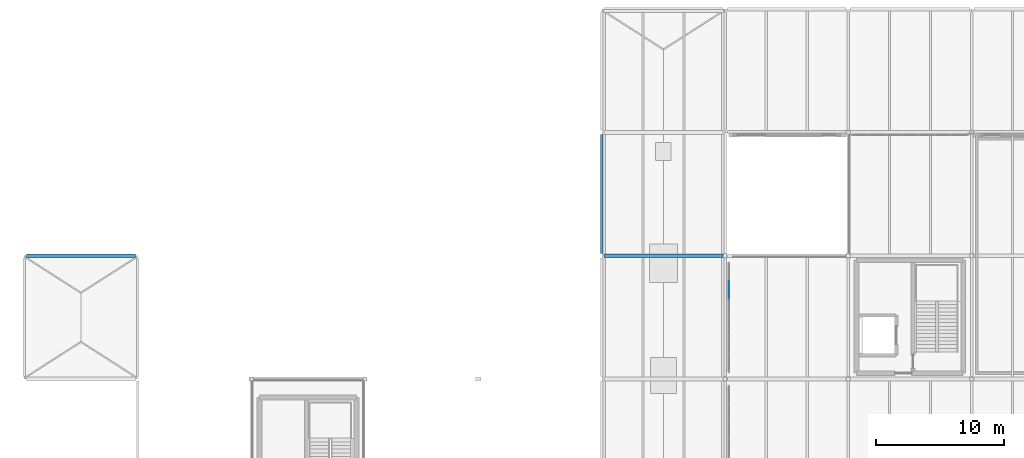
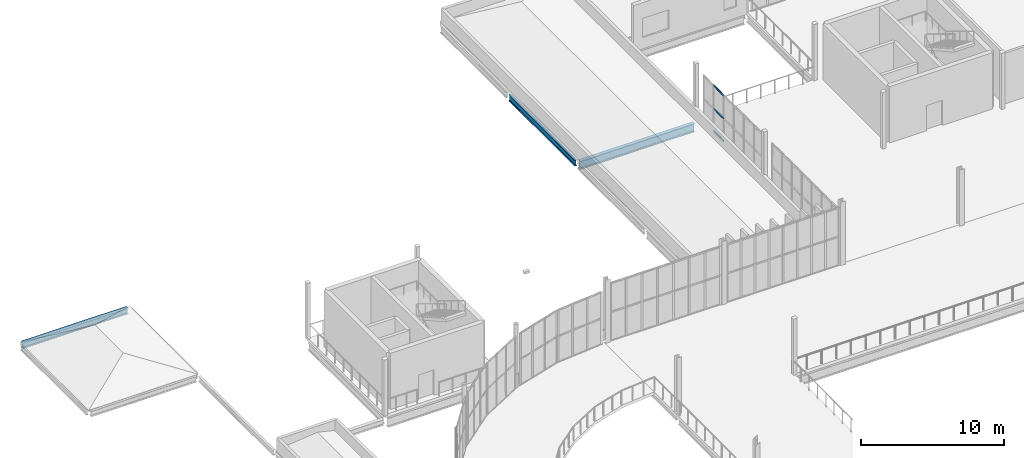
# One storey, part 44 of 112: 3 beams, 3 members, 1 element without a shape of its own.
"""IFC4 building model written with IfcOpenShell, lengths in metres."""

from ifc_helpers import new_model, si_unit, direction, frame, origin, origin_2d, place, context, subcontext, project, spatial, rectangle, i_section, extrude, material, layer, layer_set, material_profile, profile_set, type_object, element, aggregate, save


model = new_model("IFC4")

# Units and contexts
model_context = context("Model", 3, precision=1e-05, world=origin(), true_north=direction((0.0, 1.0)))
body_context = subcontext(model_context, "Body", "Model", "MODEL_VIEW")
ifc_project = project(units=[si_unit("LENGTHUNIT", "METRE"), si_unit("AREAUNIT", "SQUARE_METRE"), si_unit("VOLUMEUNIT", "CUBIC_METRE"), si_unit("PLANEANGLEUNIT", "RADIAN"), si_unit("MASSUNIT", "GRAM", prefix="KILO")], contexts=[model_context])

# Site, building, storey
site_placement = place(None, origin())
site = spatial("IfcSite", under=ifc_project, at=site_placement, CompositionType="ELEMENT")
building_placement = place(site_placement, origin())
building = spatial("IfcBuilding", under=site, at=building_placement, Name="Yeouljin Market Hall", CompositionType="ELEMENT")
storey_placement = place(building_placement, frame((0.0, 0.0, 6.0)))
storey = spatial("IfcBuildingStorey", under=building, at=storey_placement, Name="L01", CompositionType="ELEMENT", Elevation=6.0)

# Beam
ifc_material_1 = material(Name="Steel SM355", Category="steel")
ifc_material_profile_1 = material_profile(ifc_material_1, i_section(OverallWidth=0.199951171875, OverallDepth=0.5, WebThickness=0.010009765625, FlangeThickness=0.01611328125, FilletRadius=0.02001953125, at=origin_2d()), Name="H-500x200x10x16")
ifc_profile_set_1 = profile_set([ifc_material_profile_1], Name="Steel SM355")
beam_type_1 = type_object("IfcBeamType", Name="Beam_H-500x200x10x16", PredefinedType="BEAM", material=ifc_profile_set_1)
beam_1_placement = place(storey_placement, frame((45.0, 98.574951171875, -0.530029296875), z_axis=(0.0, 1.0, 0.0), x_axis=(-1.0, 0.0, 0.0)))
element("IfcBeam", 1, at=beam_1_placement, inside=storey, type_object=beam_type_1, Name="Primary beam BM-L01-Y160", PredefinedType="BEAM", context=body_context, shape_type="SweptSolid", body=[
    extrude(i_section(OverallWidth=0.199951171875, OverallDepth=0.5, WebThickness=0.010009765625, FlangeThickness=0.01611328125, FilletRadius=0.02001953125, at=origin_2d()), origin(), (0.0, 0.0, 1.0), 9.25),
])

# Curtain wall, members
ifc_material_2 = material(Name="Thermally Broken Aluminium", Category="aluminium")
ifc_layer = layer(ifc_material_2, 0.14990234375)
ifc_layer_set = layer_set([ifc_layer], Name="Thermally Broken Aluminium")
curtain_wall_type = type_object("IfcCurtainWallType", Name="CW_WingStorefront_System", PredefinedType="USERDEFINED", material=ifc_layer_set)
curtain_wall_placement = place(storey_placement, origin())
curtain_wall = element("IfcCurtainWall", 2, at=curtain_wall_placement, inside=storey, type_object=curtain_wall_type, Name="Curtain wall CW-CRT-L01-22", ObjectType="CURTAIN WALL", PredefinedType="USERDEFINED")
ifc_material_3 = material(Name="Thermally Broken Aluminium", Category="aluminium")
ifc_material_profile_2 = material_profile(ifc_material_3, rectangle(XDim=0.048095703125, YDim=0.1201171875, at=origin_2d()), Name="CW-TRAN-48x120")
ifc_profile_set_2 = profile_set([ifc_material_profile_2], Name="Thermally Broken Aluminium")
member_type = type_object("IfcMemberType", Name="CWTransom_48x120", PredefinedType="USERDEFINED", material=ifc_profile_set_2)
member_1_placement = place(storey_placement, frame((54.89990234375, 95.040771484375, 0.02392578125), z_axis=(0.0, 1.0, 0.0), x_axis=(-1.0, 0.0, 0.0)))
member_1 = element("IfcMember", 3, at=member_1_placement, type_object=member_type, Name="CW-04 transom 5.1", ObjectType="TRANSOM", PredefinedType="USERDEFINED", context=body_context, shape_type="SweptSolid", body=[
    extrude(rectangle(XDim=0.048095703125, YDim=0.1201171875, at=origin_2d()), origin(), (0.0, 0.0, 1.0), 1.36865234375),
])
member_2_placement = place(storey_placement, frame((54.89990234375, 95.040771484375, 1.97509765625), z_axis=(0.0, 1.0, 0.0), x_axis=(-1.0, 0.0, 0.0)))
member_2 = element("IfcMember", 4, at=member_2_placement, type_object=member_type, Name="CW-04 transom 5.2", ObjectType="TRANSOM", PredefinedType="USERDEFINED", context=body_context, shape_type="SweptSolid", body=[
    extrude(rectangle(XDim=0.048095703125, YDim=0.1201171875, at=origin_2d()), origin(), (0.0, 0.0, 1.0), 1.36865234375),
])
member_3_placement = place(storey_placement, frame((54.89990234375, 95.040771484375, 3.926025390625), z_axis=(0.0, 1.0, 0.0), x_axis=(-1.0, 0.0, 0.0)))
member_3 = element("IfcMember", 5, at=member_3_placement, type_object=member_type, Name="CW-04 transom 5.3", ObjectType="TRANSOM", PredefinedType="USERDEFINED", context=body_context, shape_type="SweptSolid", body=[
    extrude(rectangle(XDim=0.048095703125, YDim=0.1201171875, at=origin_2d()), origin(), (0.0, 0.0, 1.0), 1.36865234375),
])
aggregate(curtain_wall, [member_1, member_2, member_3])

# Beams
ifc_material_4 = material(Name="Steel SM355", Category="steel")
ifc_material_profile_3 = material_profile(ifc_material_4, i_section(OverallWidth=0.300048828125, OverallDepth=0.488037109375, WebThickness=0.010986328125, FlangeThickness=0.01806640625, FilletRadius=0.02197265625, at=origin_2d()), Name="H-488x300x11x18")
ifc_profile_set_3 = profile_set([ifc_material_profile_3], Name="Steel SM355")
beam_type_2 = type_object("IfcBeamType", Name="Girder_H-488x300x11x18", PredefinedType="USERDEFINED", material=ifc_profile_set_3)
beam_2_placement = place(storey_placement, frame((0.175048828125, 98.39990234375, -0.263916015625), z_axis=(1.0, 0.0, 0.0), x_axis=(0.0, 1.0, 0.0)))
element("IfcBeam", 6, at=beam_2_placement, inside=storey, type_object=beam_type_2, Name="Service apron canopy girder GRD-ENDCAN-X02", ObjectType="GIRDER", PredefinedType="USERDEFINED", context=body_context, shape_type="SweptSolid", body=[
    extrude(i_section(OverallWidth=0.300048828125, OverallDepth=0.488037109375, WebThickness=0.010986328125, FlangeThickness=0.01806640625, FilletRadius=0.02197265625, at=origin_2d()), origin(), (0.0, 0.0, 1.0), 8.5),
])
ifc_material_5 = material(Name="Steel SM355", Category="steel")
ifc_material_profile_4 = material_profile(ifc_material_5, i_section(OverallWidth=0.300048828125, OverallDepth=0.699951171875, WebThickness=0.012939453125, FlangeThickness=0.02392578125, FilletRadius=0.02587890625, at=origin_2d()), Name="H-700x300x13x24")
ifc_profile_set_4 = profile_set([ifc_material_profile_4], Name="Steel SM355")
beam_type_3 = type_object("IfcBeamType", Name="Girder_H-700x300x13x24", PredefinedType="USERDEFINED", material=ifc_profile_set_4)
beam_3_placement = place(storey_placement, frame((45.175048828125, 98.39990234375, -0.6298828125), z_axis=(1.0, 0.0, 0.0), x_axis=(0.0, 1.0, 0.0)))
element("IfcBeam", 7, at=beam_3_placement, inside=storey, type_object=beam_type_3, Name="Primary girder GRD-L01-X106", ObjectType="GIRDER", PredefinedType="USERDEFINED", context=body_context, shape_type="SweptSolid", body=[
    extrude(i_section(OverallWidth=0.300048828125, OverallDepth=0.699951171875, WebThickness=0.012939453125, FlangeThickness=0.02392578125, FilletRadius=0.02587890625, at=origin_2d()), origin(), (0.0, 0.0, 1.0), 9.25),
])

save(model, "model.ifc")
